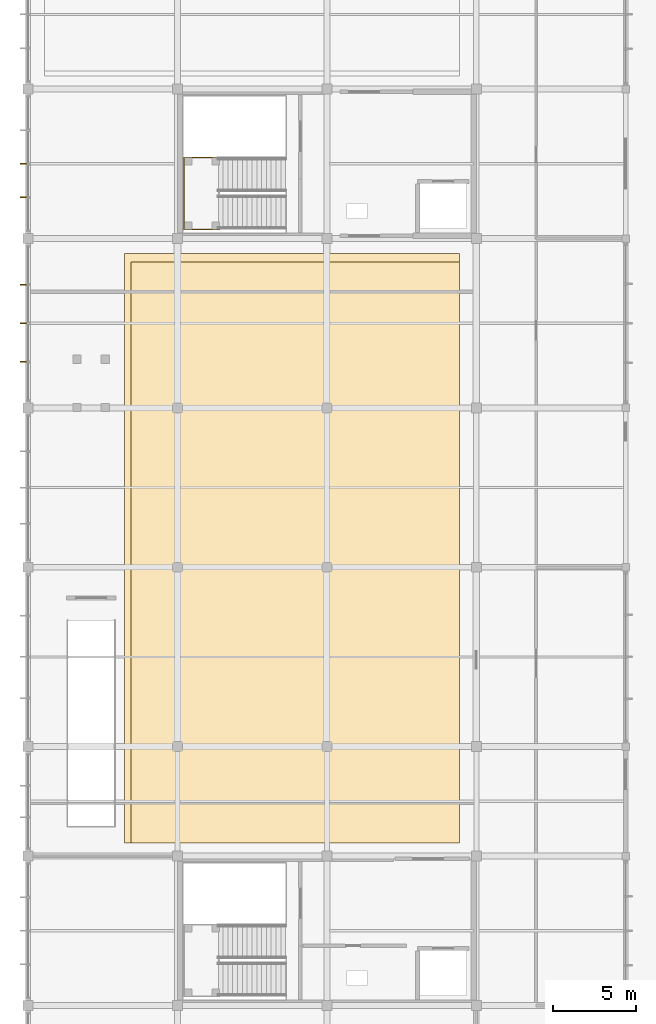
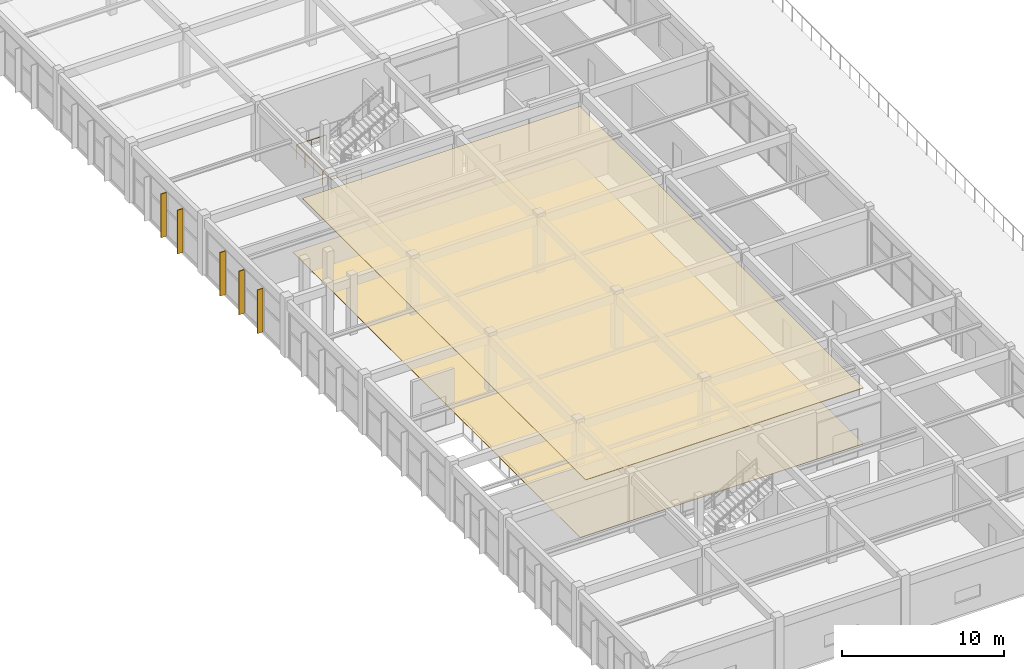
# One storey, part 75 of 89: 5 shading devices, 2 coverings, 1 railing.
"""IFC4 building model written with IfcOpenShell, lengths in metres."""

from ifc_helpers import new_model, si_unit, direction, frame, origin, origin_2d, place, context, subcontext, project, spatial, polyline, rectangle, circle, outline, extrude, material, layer, layer_set, type_object, element, save


model = new_model("IFC4")

# Units and contexts
model_context = context("Model", 3, precision=1e-05, world=origin(), true_north=direction((0.0, 1.0)))
body_context = subcontext(model_context, "Body", "Model", "MODEL_VIEW")
ifc_project = project(units=[si_unit("LENGTHUNIT", "METRE"), si_unit("AREAUNIT", "SQUARE_METRE"), si_unit("VOLUMEUNIT", "CUBIC_METRE"), si_unit("PLANEANGLEUNIT", "RADIAN"), si_unit("MASSUNIT", "GRAM", prefix="KILO")], contexts=[model_context])

# Site, building, storey
site_placement = place(None, origin())
site = spatial("IfcSite", under=ifc_project, at=site_placement, CompositionType="ELEMENT")
building_placement = place(site_placement, origin())
building = spatial("IfcBuilding", under=site, at=building_placement, Name="Suirenkawa Promenade Aquatics Centre", CompositionType="ELEMENT")
storey_placement = place(building_placement, frame((0.0, 0.0, 9.60009765625)))
storey = spatial("IfcBuildingStorey", under=building, at=storey_placement, Name="L02", CompositionType="ELEMENT", Elevation=9.60009765625)

# Coverings
ifc_material_1 = material(Name="Anodised aluminium 6063-T6", Category="aluminium")
ifc_layer_1 = layer(ifc_material_1, 0.044921875, Name="Anodised aluminium 6063-T6", Category="aluminium")
ifc_layer_set_1 = layer_set([ifc_layer_1], Name="Anodised aluminium 6063-T6")
covering_type_1 = type_object("IfcCoveringType", Name="CVT-BAFFLE-CEIL", PredefinedType="CEILING", material=ifc_layer_set_1)
covering_1_placement = place(storey_placement, frame((0.0, 0.0, 4.19482421875)))
element("IfcCovering", 1, at=covering_1_placement, inside=storey, type_object=covering_type_1, Name="Acoustic baffle ceiling CLG-01 CLG-006", PredefinedType="CEILING", context=body_context, shape_type="SweptSolid", body=[
    extrude(outline(polyline([(6.199951171875, 23.0), (26.0, 23.0), (26.0, 58.0), (6.199951171875, 58.0), (6.199951171875, 23.0)])), origin(), (0.0, 0.0, 1.0), 0.045166015625),
])
ifc_material_2 = material(Name="Engineered maple acoustic sports timber", Category="wood")
ifc_layer_2 = layer(ifc_material_2, 0.030029296875, Name="Engineered maple acoustic sports timber", Category="wood")
ifc_layer_set_2 = layer_set([ifc_layer_2], Name="Engineered maple acoustic sports timber")
covering_type_2 = type_object("IfcCoveringType", Name="CVT-SPORTS-MAPLE", PredefinedType="FLOORING", material=ifc_layer_set_2)
covering_2_placement = place(storey_placement, origin())
element("IfcCovering", 2, at=covering_2_placement, inside=storey, type_object=covering_type_2, Name="Floor finish FLR-02 FLR-008", PredefinedType="FLOORING", context=body_context, shape_type="SweptSolid", body=[
    extrude(outline(polyline([(5.800048828125, 23.0), (26.0, 23.0), (26.0, 58.5), (5.800048828125, 58.5), (5.800048828125, 23.0)])), origin(), (0.0, 0.0, 1.0), 0.02978515625),
])

# Railing
ifc_material_3 = material(Name="Marine-grade stainless steel Grade 316L", Category="steel")
railing_type = type_object("IfcRailingType", Name="RLT-GUARD-1120", PredefinedType="GUARDRAIL", material=ifc_material_3)
railing_placement = place(storey_placement, frame((11.52001953125, 59.949951171875, 2.25)))
element("IfcRailing", 3, at=railing_placement, inside=storey, type_object=railing_type, Name="Guardrail GRD-01 RL-0089", PredefinedType="GUARDRAIL", context=body_context, shape_type="SweptSolid", body=[
    extrude(circle(Radius=0.02392578125, at=origin_2d()), frame((0.0, 0.0, 1.09619140625), z_axis=(-1.0, 0.0, 0.0), x_axis=(0.0, -1.0, 0.0)), (0.0, 0.0, 1.0), 2.130126953125),
    extrude(circle(Radius=0.02392578125, at=origin_2d()), frame((-2.130126953125, 0.0, 1.09619140625), z_axis=(0.0, 1.0, 0.0), x_axis=(-1.0, 0.0, 0.0)), (0.0, 0.0, 1.0), 4.330078125),
    extrude(circle(Radius=0.02392578125, at=origin_2d()), frame((-2.130126953125, 4.330078125, 1.09619140625), z_axis=(1.0, 0.0, 0.0), x_axis=(0.0, 1.0, 0.0)), (0.0, 0.0, 1.0), 2.130126953125),
    extrude(circle(Radius=0.02099609375, at=origin_2d()), origin(), (0.0, 0.0, 1.0), 1.072021484375),
    extrude(circle(Radius=0.02099609375, at=origin_2d()), frame((-1.06494140625, 0.0, 0.0)), (0.0, 0.0, 1.0), 1.072021484375),
    extrude(circle(Radius=0.02099609375, at=origin_2d()), frame((-2.130126953125, 0.0, 0.0)), (0.0, 0.0, 1.0), 1.072021484375),
    extrude(circle(Radius=0.02099609375, at=origin_2d()), frame((-2.130126953125, 1.08251953125, 0.0)), (0.0, 0.0, 1.0), 1.072021484375),
    extrude(circle(Radius=0.02099609375, at=origin_2d()), frame((-2.130126953125, 2.1650390625, 0.0)), (0.0, 0.0, 1.0), 1.072021484375),
    extrude(circle(Radius=0.02099609375, at=origin_2d()), frame((-2.130126953125, 3.24755859375, 0.0)), (0.0, 0.0, 1.0), 1.072021484375),
    extrude(circle(Radius=0.02099609375, at=origin_2d()), frame((-2.130126953125, 4.330078125, 0.0)), (0.0, 0.0, 1.0), 1.072021484375),
    extrude(circle(Radius=0.02099609375, at=origin_2d()), frame((-1.06494140625, 4.330078125, 0.0)), (0.0, 0.0, 1.0), 1.072021484375),
    extrude(circle(Radius=0.02099609375, at=origin_2d()), frame((0.0, 4.330078125, 0.0)), (0.0, 0.0, 1.0), 1.072021484375),
])

# Shading devices
shading_device_type = type_object("IfcShadingDeviceType", Name="SDT-KOUSHI-400", PredefinedType="USERDEFINED", material=ifc_material_1)
for number, where, z_axis, x_axis, name in (
    (4, (-0.287109375, 51.974609375, 0.039794921875), (0.0, 0.0, 1.0), (-1.0, 0.0, 0.0), "Vertical solar shading fin FN-01 FIN-0163"),
    (5, (-0.287109375, 54.300048828125, 0.039794921875), (0.0, 0.0, 1.0), (-1.0, 0.0, 0.0), "Vertical solar shading fin FN-01 FIN-0164"),
    (6, (-0.287109375, 56.62548828125, 0.039794921875), (0.0, 0.0, 1.0), (-1.0, 0.0, 0.0), "Vertical solar shading fin FN-01 FIN-0165"),
    (7, (-0.287109375, 61.87451171875, 0.039794921875), (0.0, 0.0, 1.0), (-1.0, 0.0, 0.0), "Vertical solar shading fin FN-01 FIN-0169"),
    (8, (-0.287109375, 63.89990234375, 0.039794921875), (0.0, 0.0, 1.0), (-1.0, 0.0, 0.0), "Vertical solar shading fin FN-01 FIN-0170"),
):
    element("IfcShadingDevice", number, at=place(storey_placement, frame(where, z_axis=z_axis, x_axis=x_axis)), inside=storey, type_object=shading_device_type, Name=name, ObjectType="FIN", PredefinedType="USERDEFINED", context=body_context, shape_type="SweptSolid", body=[
        extrude(rectangle(XDim=0.39990234375, YDim=0.06005859375, at=origin_2d()), origin(), (0.0, 0.0, 1.0), 3.2900390625),
    ])

save(model, "model.ifc")
